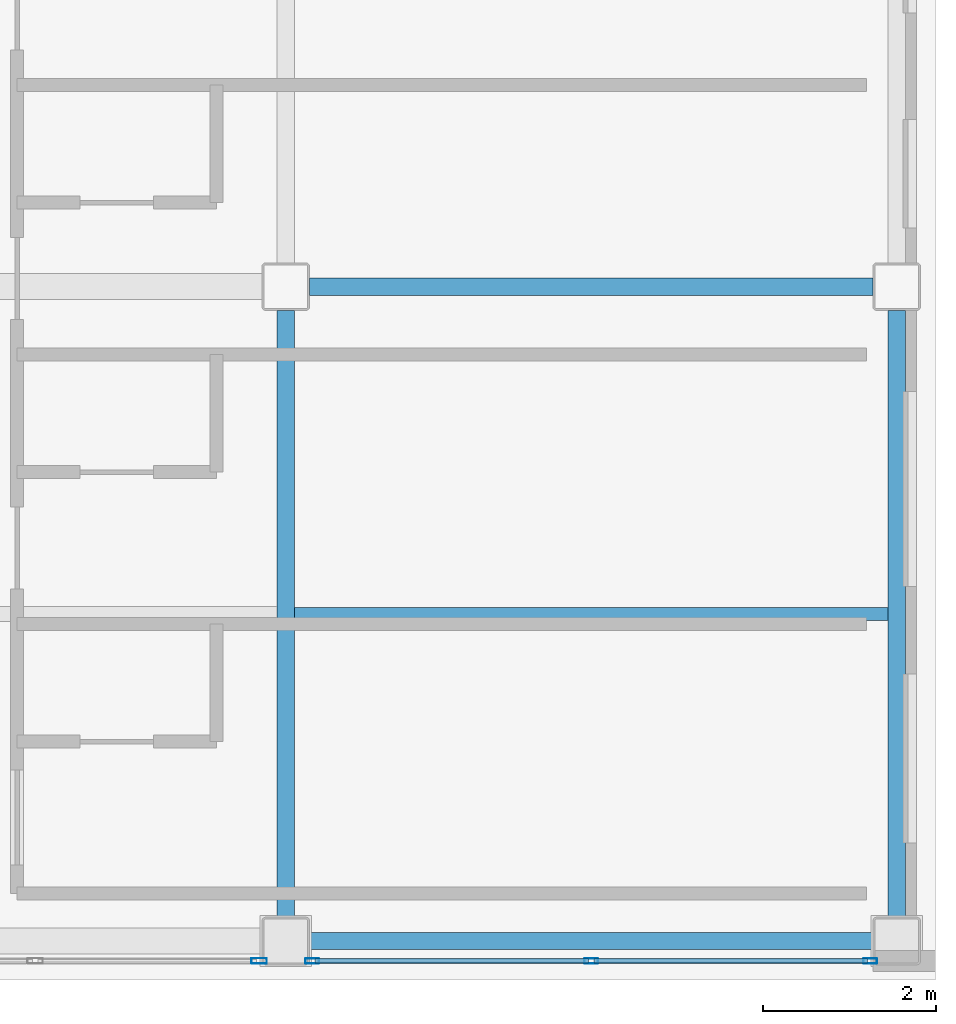
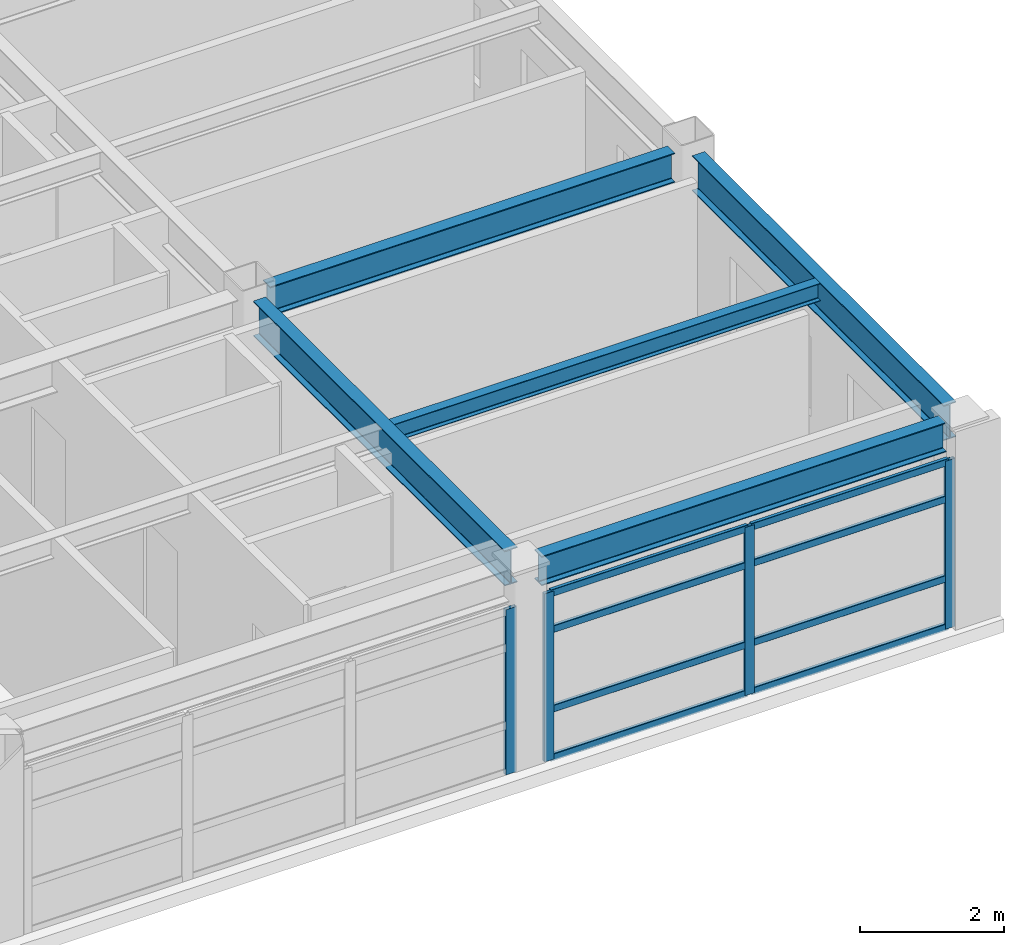
# One storey, part 7 of 36: 12 members, 5 beams, 2 elements without a shape of their own.
"""IFC4 building model written with IfcOpenShell, lengths in metres."""

from ifc_helpers import new_model, si_unit, direction, frame, origin, origin_2d, place, context, subcontext, project, spatial, hollow_rectangle, i_section, extrude, material, layer, layer_set, material_profile, profile_set, type_object, element, aggregate, save


model = new_model("IFC4")

# Units and contexts
model_context = context("Model", 3, precision=1e-05, world=origin(), true_north=direction((0.0, 1.0)))
body_context = subcontext(model_context, "Body", "Model", "MODEL_VIEW")
ifc_project = project(units=[si_unit("LENGTHUNIT", "METRE"), si_unit("AREAUNIT", "SQUARE_METRE"), si_unit("VOLUMEUNIT", "CUBIC_METRE"), si_unit("PLANEANGLEUNIT", "RADIAN"), si_unit("MASSUNIT", "GRAM", prefix="KILO")], contexts=[model_context])

# Site, building, storey
site_placement = place(None, origin())
site = spatial("IfcSite", under=ifc_project, at=site_placement, CompositionType="ELEMENT")
building_placement = place(site_placement, origin())
building = spatial("IfcBuilding", under=site, at=building_placement, Name="Kazehara Bluff Congress Hotel", CompositionType="ELEMENT")
storey_placement = place(building_placement, frame((0.0, 0.0, 28.199951171875)))
storey = spatial("IfcBuildingStorey", under=building, at=storey_placement, Name="L06", CompositionType="ELEMENT", Elevation=28.199951171875)

# Curtain wall, members
ifc_material_1 = material(Name="Anodised aluminium", Category="aluminium")
ifc_layer_1 = layer(ifc_material_1, 0.159912109375)
ifc_layer_set_1 = layer_set([ifc_layer_1], Name="Anodised aluminium")
curtain_wall_type_1 = type_object("IfcCurtainWallType", Name="TP-CW-173", PredefinedType="NOTDEFINED", material=ifc_layer_set_1)
curtain_wall_1_placement = place(storey_placement, origin())
curtain_wall_1 = element("IfcCurtainWall", 1, at=curtain_wall_1_placement, inside=storey, type_object=curtain_wall_type_1, Name="L06 curtain wall CW-173 CW-ENC-V5-L06-16402-22", PredefinedType="NOTDEFINED")
ifc_material_2 = material(Name="Anodised aluminium", Category="aluminium")
ifc_material_profile_1 = material_profile(ifc_material_2, hollow_rectangle(XDim=0.06005859375, YDim=0.159912109375, WallThickness=0.00390625, InnerFilletRadius=0.00390625, OuterFilletRadius=0.008056640625, at=origin_2d()))
ifc_profile_set_1 = profile_set([ifc_material_profile_1], Name="Anodised aluminium")
member_type_1 = type_object("IfcMemberType", Name="TP-CWM-01", PredefinedType="MULLION", material=ifc_profile_set_1)
member_1_placement = place(storey_placement, frame((167.2451171875, 0.219970703125, 0.0), z_axis=(0.0, 0.0, 1.0), x_axis=(0.0, -1.0, 0.0)))
member_1 = element("IfcMember", 2, at=member_1_placement, type_object=member_type_1, Name="CW-173 mullion 1", PredefinedType="MULLION", context=body_context, shape_type="SweptSolid", body=[
    extrude(hollow_rectangle(XDim=0.06005859375, YDim=0.159912109375, WallThickness=0.00390625, InnerFilletRadius=0.00390625, OuterFilletRadius=0.008056640625, at=origin_2d()), origin(), (0.0, 0.0, 1.0), 2.85498046875),
])
member_2_placement = place(storey_placement, frame((164.02490234375, 0.219970703125, 0.0), z_axis=(0.0, 0.0, 1.0), x_axis=(0.0, -1.0, 0.0)))
member_2 = element("IfcMember", 3, at=member_2_placement, type_object=member_type_1, Name="CW-173 mullion 2", PredefinedType="MULLION", context=body_context, shape_type="SweptSolid", body=[
    extrude(hollow_rectangle(XDim=0.06005859375, YDim=0.159912109375, WallThickness=0.00390625, InnerFilletRadius=0.00390625, OuterFilletRadius=0.008056640625, at=origin_2d()), origin(), (0.0, 0.0, 1.0), 2.85498046875),
])
member_3_placement = place(storey_placement, frame((160.804931640625, 0.219970703125, 0.0), z_axis=(0.0, 0.0, 1.0), x_axis=(0.0, -1.0, 0.0)))
member_3 = element("IfcMember", 4, at=member_3_placement, type_object=member_type_1, Name="CW-173 mullion 3", PredefinedType="MULLION", context=body_context, shape_type="SweptSolid", body=[
    extrude(hollow_rectangle(XDim=0.06005859375, YDim=0.159912109375, WallThickness=0.00390625, InnerFilletRadius=0.00390625, OuterFilletRadius=0.008056640625, at=origin_2d()), origin(), (0.0, 0.0, 1.0), 2.85498046875),
])

# Curtain wall, member
ifc_material_3 = material(Name="Anodised aluminium", Category="aluminium")
ifc_layer_2 = layer(ifc_material_3, 0.159912109375)
ifc_layer_set_2 = layer_set([ifc_layer_2], Name="Anodised aluminium")
curtain_wall_type_2 = type_object("IfcCurtainWallType", Name="TP-CW-172", PredefinedType="NOTDEFINED", material=ifc_layer_set_2)
curtain_wall_2_placement = place(storey_placement, origin())
curtain_wall_2 = element("IfcCurtainWall", 5, at=curtain_wall_2_placement, inside=storey, type_object=curtain_wall_type_2, Name="L06 curtain wall CW-172 CW-ENC-V5-L06-15630-22", PredefinedType="NOTDEFINED")
ifc_material_4 = material(Name="Anodised aluminium", Category="aluminium")
ifc_material_profile_2 = material_profile(ifc_material_4, hollow_rectangle(XDim=0.06494140625, YDim=0.179931640625, WallThickness=0.00390625, InnerFilletRadius=0.00390625, OuterFilletRadius=0.008056640625, at=origin_2d()))
ifc_profile_set_2 = profile_set([ifc_material_profile_2], Name="Anodised aluminium")
member_type_2 = type_object("IfcMemberType", Name="TP-CWM-02", PredefinedType="MULLION", material=ifc_profile_set_2)
member_4_placement = place(storey_placement, frame((160.1923828125, 0.219970703125, 0.0), z_axis=(0.0, 0.0, 1.0), x_axis=(0.0, -1.0, 0.0)))
member_4 = element("IfcMember", 6, at=member_4_placement, type_object=member_type_2, Name="CW-172 mullion 1", PredefinedType="MULLION", context=body_context, shape_type="SweptSolid", body=[
    extrude(hollow_rectangle(XDim=0.06494140625, YDim=0.179931640625, WallThickness=0.00390625, InnerFilletRadius=0.00390625, OuterFilletRadius=0.008056640625, at=origin_2d()), origin(), (0.0, 0.0, 1.0), 2.804931640625),
])
aggregate(curtain_wall_2, [member_4])

# Member
ifc_material_5 = material(Name="Anodised aluminium", Category="aluminium")
ifc_material_profile_3 = material_profile(ifc_material_5, hollow_rectangle(XDim=0.06005859375, YDim=0.1201171875, WallThickness=0.00390625, InnerFilletRadius=0.00390625, OuterFilletRadius=0.008056640625, at=origin_2d()))
ifc_profile_set_3 = profile_set([ifc_material_profile_3], Name="Anodised aluminium")
member_type_3 = type_object("IfcMemberType", Name="TP-CWT-01", PredefinedType="USERDEFINED", material=ifc_profile_set_3)
member_5_placement = place(storey_placement, frame((167.215087890625, 0.219970703125, 0.030029296875), z_axis=(-1.0, 0.0, 0.0), x_axis=(0.0, -1.0, 0.0)))
member_5 = element("IfcMember", 7, at=member_5_placement, type_object=member_type_3, Name="CW-173 transom 1.1", ObjectType="TRANSOM", PredefinedType="USERDEFINED", context=body_context, shape_type="SweptSolid", body=[
    extrude(hollow_rectangle(XDim=0.06005859375, YDim=0.1201171875, WallThickness=0.00390625, InnerFilletRadius=0.00390625, OuterFilletRadius=0.008056640625, at=origin_2d()), origin(), (0.0, 0.0, 1.0), 3.16015625),
])

member_6_placement = place(storey_placement, frame((167.215087890625, 0.219970703125, 0.85498046875), z_axis=(-1.0, 0.0, 0.0), x_axis=(0.0, -1.0, 0.0)))
member_6 = element("IfcMember", 8, at=member_6_placement, type_object=member_type_3, Name="CW-173 transom 1.2", ObjectType="TRANSOM", PredefinedType="USERDEFINED", context=body_context, shape_type="SweptSolid", body=[
    extrude(hollow_rectangle(XDim=0.06005859375, YDim=0.1201171875, WallThickness=0.00390625, InnerFilletRadius=0.00390625, OuterFilletRadius=0.008056640625, at=origin_2d()), origin(), (0.0, 0.0, 1.0), 3.16015625),
])

member_7_placement = place(storey_placement, frame((167.215087890625, 0.219970703125, 2.205078125), z_axis=(-1.0, 0.0, 0.0), x_axis=(0.0, -1.0, 0.0)))
member_7 = element("IfcMember", 9, at=member_7_placement, type_object=member_type_3, Name="CW-173 transom 1.3", ObjectType="TRANSOM", PredefinedType="USERDEFINED", context=body_context, shape_type="SweptSolid", body=[
    extrude(hollow_rectangle(XDim=0.06005859375, YDim=0.1201171875, WallThickness=0.00390625, InnerFilletRadius=0.00390625, OuterFilletRadius=0.008056640625, at=origin_2d()), origin(), (0.0, 0.0, 1.0), 3.16015625),
])

member_8_placement = place(storey_placement, frame((167.215087890625, 0.219970703125, 2.824951171875), z_axis=(-1.0, 0.0, 0.0), x_axis=(0.0, -1.0, 0.0)))
member_8 = element("IfcMember", 10, at=member_8_placement, type_object=member_type_3, Name="CW-173 transom 1.4", ObjectType="TRANSOM", PredefinedType="USERDEFINED", context=body_context, shape_type="SweptSolid", body=[
    extrude(hollow_rectangle(XDim=0.06005859375, YDim=0.1201171875, WallThickness=0.00390625, InnerFilletRadius=0.00390625, OuterFilletRadius=0.008056640625, at=origin_2d()), origin(), (0.0, 0.0, 1.0), 3.16015625),
])

member_9_placement = place(storey_placement, frame((163.9951171875, 0.219970703125, 0.030029296875), z_axis=(-1.0, 0.0, 0.0), x_axis=(0.0, -1.0, 0.0)))
member_9 = element("IfcMember", 11, at=member_9_placement, type_object=member_type_3, Name="CW-173 transom 2.1", ObjectType="TRANSOM", PredefinedType="USERDEFINED", context=body_context, shape_type="SweptSolid", body=[
    extrude(hollow_rectangle(XDim=0.06005859375, YDim=0.1201171875, WallThickness=0.00390625, InnerFilletRadius=0.00390625, OuterFilletRadius=0.008056640625, at=origin_2d()), origin(), (0.0, 0.0, 1.0), 3.16015625),
])

member_10_placement = place(storey_placement, frame((163.9951171875, 0.219970703125, 0.85498046875), z_axis=(-1.0, 0.0, 0.0), x_axis=(0.0, -1.0, 0.0)))
member_10 = element("IfcMember", 12, at=member_10_placement, type_object=member_type_3, Name="CW-173 transom 2.2", ObjectType="TRANSOM", PredefinedType="USERDEFINED", context=body_context, shape_type="SweptSolid", body=[
    extrude(hollow_rectangle(XDim=0.06005859375, YDim=0.1201171875, WallThickness=0.00390625, InnerFilletRadius=0.00390625, OuterFilletRadius=0.008056640625, at=origin_2d()), origin(), (0.0, 0.0, 1.0), 3.16015625),
])

member_11_placement = place(storey_placement, frame((163.9951171875, 0.219970703125, 2.205078125), z_axis=(-1.0, 0.0, 0.0), x_axis=(0.0, -1.0, 0.0)))
member_11 = element("IfcMember", 13, at=member_11_placement, type_object=member_type_3, Name="CW-173 transom 2.3", ObjectType="TRANSOM", PredefinedType="USERDEFINED", context=body_context, shape_type="SweptSolid", body=[
    extrude(hollow_rectangle(XDim=0.06005859375, YDim=0.1201171875, WallThickness=0.00390625, InnerFilletRadius=0.00390625, OuterFilletRadius=0.008056640625, at=origin_2d()), origin(), (0.0, 0.0, 1.0), 3.16015625),
])

member_12_placement = place(storey_placement, frame((163.9951171875, 0.219970703125, 2.824951171875), z_axis=(-1.0, 0.0, 0.0), x_axis=(0.0, -1.0, 0.0)))
member_12 = element("IfcMember", 14, at=member_12_placement, type_object=member_type_3, Name="CW-173 transom 2.4", ObjectType="TRANSOM", PredefinedType="USERDEFINED", context=body_context, shape_type="SweptSolid", body=[
    extrude(hollow_rectangle(XDim=0.06005859375, YDim=0.1201171875, WallThickness=0.00390625, InnerFilletRadius=0.00390625, OuterFilletRadius=0.008056640625, at=origin_2d()), origin(), (0.0, 0.0, 1.0), 3.16015625),
])

aggregate(curtain_wall_1, [member_1, member_2, member_3, member_5, member_6, member_7, member_8, member_9, member_10, member_11, member_12])

# Beams
ifc_material_6 = material(Name="Steel SN490B", Category="steel")
ifc_material_profile_4 = material_profile(ifc_material_6, i_section(OverallWidth=0.199951171875, OverallDepth=0.5, WebThickness=0.010009765625, FlangeThickness=0.01611328125, FilletRadius=0.012939453125, at=origin_2d()))
ifc_profile_set_4 = profile_set([ifc_material_profile_4], Name="Steel SN490B")
beam_type_1 = type_object("IfcBeamType", Name="TP-G-01", PredefinedType="BEAM", material=ifc_profile_set_4)
for number, where, z_axis, x_axis, name in (
    (15, (160.77490234375, 0.449951171875, 3.130126953125), (1.0, 0.0, 0.0), (0.0, 1.0, 0.0), "L06 girder G-01 46"),
    (16, (160.77490234375, 8.0, 3.130126953125), (1.0, 0.0, 0.0), (0.0, 1.0, 0.0), "L06 girder G-01 49"),
):
    element("IfcBeam", number, at=place(storey_placement, frame(where, z_axis=z_axis, x_axis=x_axis)), inside=storey, type_object=beam_type_1, Name=name, PredefinedType="BEAM", context=body_context, shape_type="SweptSolid", body=[
        extrude(i_section(OverallWidth=0.199951171875, OverallDepth=0.5, WebThickness=0.010009765625, FlangeThickness=0.01611328125, FilletRadius=0.012939453125, at=origin_2d()), origin(), (0.0, 0.0, 1.0), 6.5),
    ])
ifc_material_7 = material(Name="Steel SN490B", Category="steel")
ifc_material_profile_5 = material_profile(ifc_material_7, i_section(OverallWidth=0.199951171875, OverallDepth=0.60009765625, WebThickness=0.010986328125, FlangeThickness=0.01708984375, FilletRadius=0.012939453125, at=origin_2d()))
ifc_profile_set_5 = profile_set([ifc_material_profile_5], Name="Steel SN490B")
beam_type_2 = type_object("IfcBeamType", Name="TP-G-02", PredefinedType="BEAM", material=ifc_profile_set_5)
for number, where, z_axis, x_axis, name in (
    (17, (160.5, 0.72509765625, 3.080078125), (0.0, 1.0, 0.0), (-1.0, 0.0, 0.0), "L06 girder G-02 24"),
    (18, (167.550048828125, 0.72509765625, 3.080078125), (0.0, 1.0, 0.0), (-1.0, 0.0, 0.0), "L06 girder G-02 34"),
):
    element("IfcBeam", number, at=place(storey_placement, frame(where, z_axis=z_axis, x_axis=x_axis)), inside=storey, type_object=beam_type_2, Name=name, PredefinedType="BEAM", context=body_context, shape_type="SweptSolid", body=[
        extrude(i_section(OverallWidth=0.199951171875, OverallDepth=0.60009765625, WebThickness=0.010986328125, FlangeThickness=0.01708984375, FilletRadius=0.012939453125, at=origin_2d()), origin(), (0.0, 0.0, 1.0), 7.0),
    ])
ifc_material_8 = material(Name="Steel SN400B", Category="steel")
ifc_material_profile_6 = material_profile(ifc_material_8, i_section(OverallWidth=0.14990234375, OverallDepth=0.300048828125, WebThickness=0.006591796875, FlangeThickness=0.009033203125, FilletRadius=0.012939453125, at=origin_2d()))
ifc_profile_set_6 = profile_set([ifc_material_profile_6], Name="Steel SN400B")
beam_type_3 = type_object("IfcBeamType", Name="TP-J-01", PredefinedType="JOIST", material=ifc_profile_set_6)
beam_placement = place(storey_placement, frame((160.60009765625, 4.22509765625, 3.22998046875), z_axis=(1.0, 0.0, 0.0), x_axis=(0.0, 1.0, 0.0)))
element("IfcBeam", 19, at=beam_placement, inside=storey, type_object=beam_type_3, Name="L06 secondary joist J-01 17", PredefinedType="JOIST", context=body_context, shape_type="SweptSolid", body=[
    extrude(i_section(OverallWidth=0.14990234375, OverallDepth=0.300048828125, WebThickness=0.006591796875, FlangeThickness=0.009033203125, FilletRadius=0.012939453125, at=origin_2d()), origin(), (0.0, 0.0, 1.0), 6.849853515625),
])

save(model, "model.ifc")
